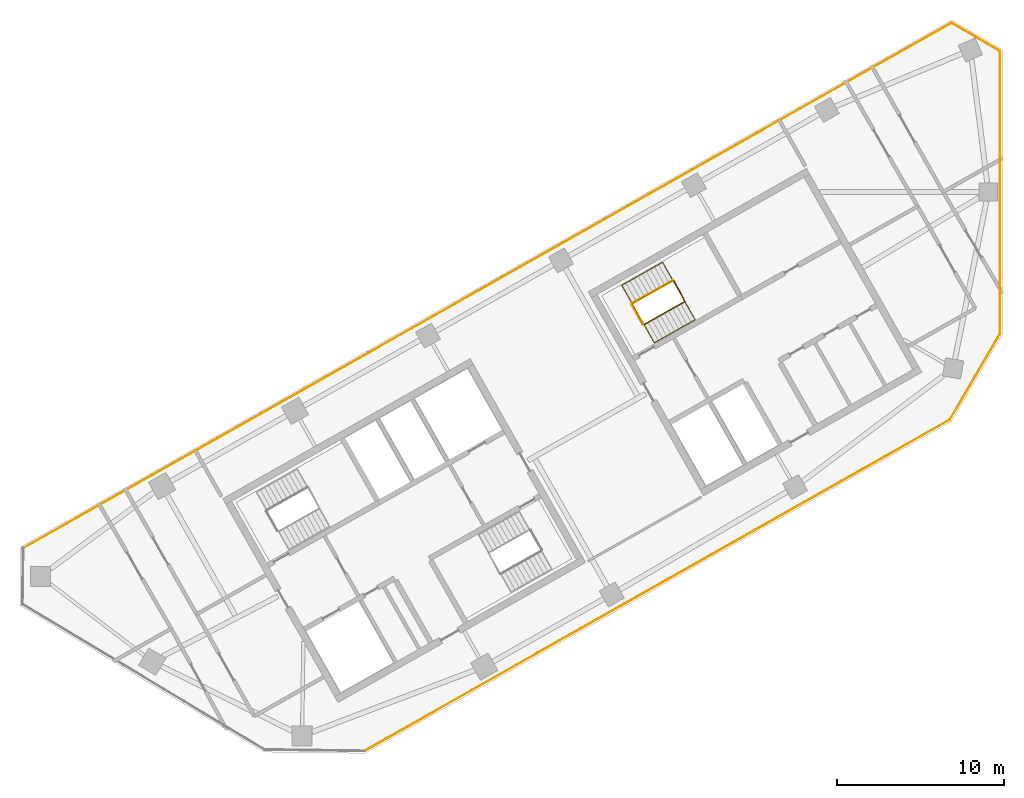
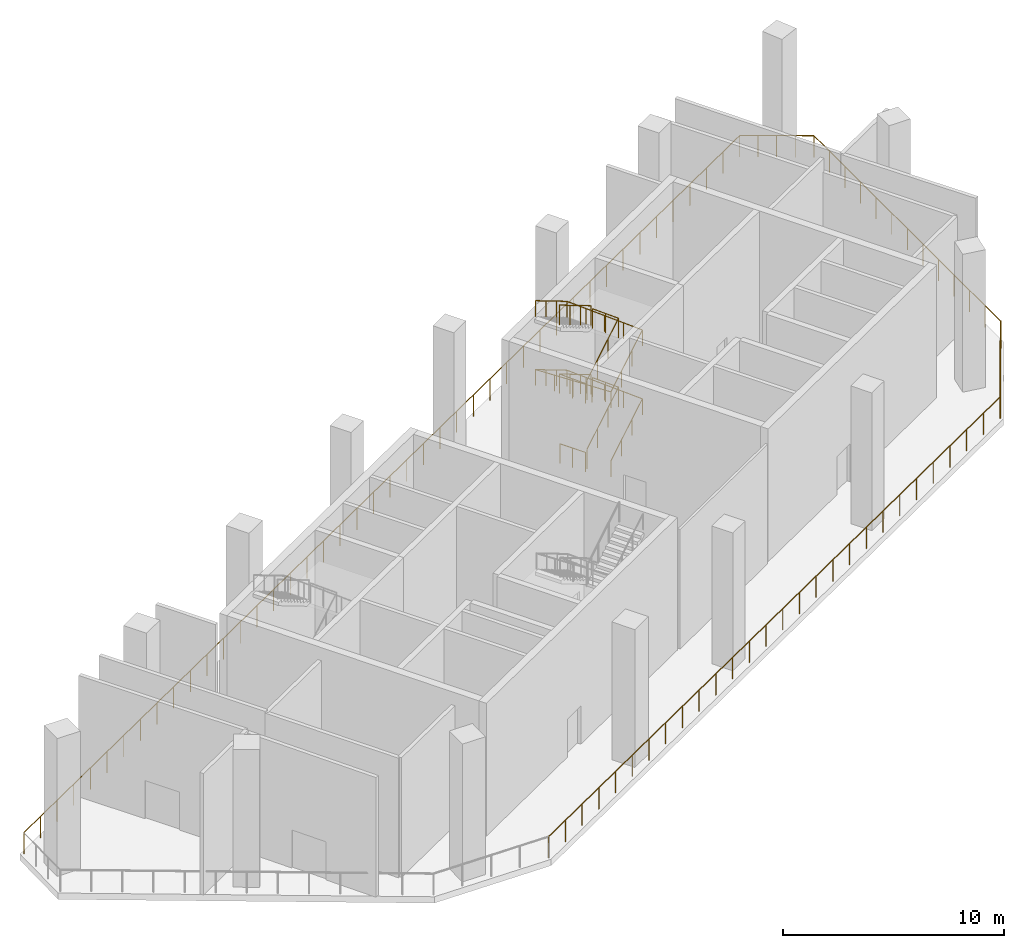
# One storey, part 6 of 6: 12 railings.
"""IFC4 building model written with IfcOpenShell, lengths in metres."""

from ifc_helpers import new_model, si_unit, direction, frame, origin, origin_2d, place, context, subcontext, project, spatial, circle, extrude, material, type_object, element, save


model = new_model("IFC4")

# Units and contexts
model_context = context("Model", 3, precision=1e-05, world=origin(), true_north=direction((0.0, 1.0)))
body_context = subcontext(model_context, "Body", "Model", "MODEL_VIEW")
ifc_project = project(units=[si_unit("LENGTHUNIT", "METRE"), si_unit("AREAUNIT", "SQUARE_METRE"), si_unit("VOLUMEUNIT", "CUBIC_METRE"), si_unit("PLANEANGLEUNIT", "RADIAN"), si_unit("MASSUNIT", "GRAM", prefix="KILO")], contexts=[model_context])

# Site, building, storey
site_placement = place(None, origin())
site = spatial("IfcSite", under=ifc_project, at=site_placement, CompositionType="ELEMENT")
building_placement = place(site_placement, origin())
building = spatial("IfcBuilding", under=site, at=building_placement, Name="Binnacle Exchange Tower", CompositionType="ELEMENT")
storey_placement = place(building_placement, frame((0.0, 0.0, 285.5)))
storey = spatial("IfcBuildingStorey", under=building, at=storey_placement, Name="L64", CompositionType="ELEMENT", Elevation=285.5)

# Railings
ifc_material_1 = material(Name="Bronze anodised aluminium frame", Category="aluminium")
railing_type_1 = type_object("IfcRailingType", Name="GUARD 1200", PredefinedType="GUARDRAIL", material=ifc_material_1)
railing_1_placement = place(storey_placement, frame((-3.155517578125, 46.38720703125, 0.0)))
element("IfcRailing", 1, at=railing_1_placement, inside=storey, type_object=railing_type_1, Name="Slab edge guard 1 L64", PredefinedType="GUARDRAIL", context=body_context, shape_type="SweptSolid", body=[
    extrude(circle(Radius=0.02392578125, at=origin_2d()), frame((0.0, 0.0, 1.17578125), z_axis=(-0.870353236256, -0.492427907555, 0.0), x_axis=(0.492427907555, -0.870353236256, 0.0)), (0.0, 0.0, 1.0), 40.191650390625),
    extrude(circle(Radius=0.02099609375, at=origin_2d()), origin(), (0.0, 0.0, 1.0), 1.15185546875),
    extrude(circle(Radius=0.02099609375, at=origin_2d()), frame((-1.295654296875, -0.73291015625, 0.0)), (0.0, 0.0, 1.0), 1.15185546875),
    extrude(circle(Radius=0.02099609375, at=origin_2d()), frame((-2.591064453125, -1.466064453125, 0.0)), (0.0, 0.0, 1.0), 1.15185546875),
    extrude(circle(Radius=0.02099609375, at=origin_2d()), frame((-3.88671875, -2.198974609375, 0.0)), (0.0, 0.0, 1.0), 1.15185546875),
    extrude(circle(Radius=0.02099609375, at=origin_2d()), frame((-5.182373046875, -2.93212890625, 0.0)), (0.0, 0.0, 1.0), 1.15185546875),
    extrude(circle(Radius=0.02099609375, at=origin_2d()), frame((-6.47802734375, -3.6650390625, 0.0)), (0.0, 0.0, 1.0), 1.15185546875),
    extrude(circle(Radius=0.02099609375, at=origin_2d()), frame((-7.7734375, -4.398193359375, 0.0)), (0.0, 0.0, 1.0), 1.15185546875),
    extrude(circle(Radius=0.02099609375, at=origin_2d()), frame((-9.069091796875, -5.131103515625, 0.0)), (0.0, 0.0, 1.0), 1.15185546875),
    extrude(circle(Radius=0.02099609375, at=origin_2d()), frame((-10.36474609375, -5.8642578125, 0.0)), (0.0, 0.0, 1.0), 1.15185546875),
    extrude(circle(Radius=0.02099609375, at=origin_2d()), frame((-11.660400390625, -6.59716796875, 0.0)), (0.0, 0.0, 1.0), 1.15185546875),
    extrude(circle(Radius=0.02099609375, at=origin_2d()), frame((-12.955810546875, -7.330078125, 0.0)), (0.0, 0.0, 1.0), 1.15185546875),
    extrude(circle(Radius=0.02099609375, at=origin_2d()), frame((-14.25146484375, -8.063232421875, 0.0)), (0.0, 0.0, 1.0), 1.15185546875),
    extrude(circle(Radius=0.02099609375, at=origin_2d()), frame((-15.547119140625, -8.796142578125, 0.0)), (0.0, 0.0, 1.0), 1.15185546875),
    extrude(circle(Radius=0.02099609375, at=origin_2d()), frame((-16.8427734375, -9.529296875, 0.0)), (0.0, 0.0, 1.0), 1.15185546875),
    extrude(circle(Radius=0.02099609375, at=origin_2d()), frame((-18.13818359375, -10.26220703125, 0.0)), (0.0, 0.0, 1.0), 1.15185546875),
    extrude(circle(Radius=0.02099609375, at=origin_2d()), frame((-19.433837890625, -10.995361328125, 0.0)), (0.0, 0.0, 1.0), 1.15185546875),
    extrude(circle(Radius=0.02099609375, at=origin_2d()), frame((-20.7294921875, -11.728271484375, 0.0)), (0.0, 0.0, 1.0), 1.15185546875),
    extrude(circle(Radius=0.02099609375, at=origin_2d()), frame((-22.025146484375, -12.46142578125, 0.0)), (0.0, 0.0, 1.0), 1.15185546875),
    extrude(circle(Radius=0.02099609375, at=origin_2d()), frame((-23.320556640625, -13.1943359375, 0.0)), (0.0, 0.0, 1.0), 1.15185546875),
    extrude(circle(Radius=0.02099609375, at=origin_2d()), frame((-24.6162109375, -13.92724609375, 0.0)), (0.0, 0.0, 1.0), 1.15185546875),
    extrude(circle(Radius=0.02099609375, at=origin_2d()), frame((-25.911865234375, -14.660400390625, 0.0)), (0.0, 0.0, 1.0), 1.15185546875),
    extrude(circle(Radius=0.02099609375, at=origin_2d()), frame((-27.20751953125, -15.393310546875, 0.0)), (0.0, 0.0, 1.0), 1.15185546875),
    extrude(circle(Radius=0.02099609375, at=origin_2d()), frame((-28.5029296875, -16.12646484375, 0.0)), (0.0, 0.0, 1.0), 1.15185546875),
    extrude(circle(Radius=0.02099609375, at=origin_2d()), frame((-29.798583984375, -16.859375, 0.0)), (0.0, 0.0, 1.0), 1.15185546875),
    extrude(circle(Radius=0.02099609375, at=origin_2d()), frame((-31.09423828125, -17.592529296875, 0.0)), (0.0, 0.0, 1.0), 1.15185546875),
    extrude(circle(Radius=0.02099609375, at=origin_2d()), frame((-32.389892578125, -18.325439453125, 0.0)), (0.0, 0.0, 1.0), 1.15185546875),
    extrude(circle(Radius=0.02099609375, at=origin_2d()), frame((-33.685302734375, -19.05859375, 0.0)), (0.0, 0.0, 1.0), 1.15185546875),
    extrude(circle(Radius=0.02099609375, at=origin_2d()), frame((-34.98095703125, -19.79150390625, 0.0)), (0.0, 0.0, 1.0), 1.15185546875),
])
railing_2_placement = place(storey_placement, frame((-58.52099609375, 38.718017578125, 0.0)))
element("IfcRailing", 2, at=railing_2_placement, inside=storey, type_object=railing_type_1, Name="Slab edge guard 5 L64", PredefinedType="GUARDRAIL", context=body_context, shape_type="SweptSolid", body=[
    extrude(circle(Radius=0.02392578125, at=origin_2d()), frame((0.0, 0.0, 1.17578125), z_axis=(0.870355516439, 0.492423877369, 0.0), x_axis=(-0.492423877369, 0.870355516439, 0.0)), (0.0, 0.0, 1.0), 63.73681640625),
    extrude(circle(Radius=0.02099609375, at=origin_2d()), origin(), (0.0, 0.0, 1.0), 1.15185546875),
    extrude(circle(Radius=0.02099609375, at=origin_2d()), frame((1.2900390625, 0.72998046875, 0.0)), (0.0, 0.0, 1.0), 1.15185546875),
    extrude(circle(Radius=0.02099609375, at=origin_2d()), frame((2.580078125, 1.459716796875, 0.0)), (0.0, 0.0, 1.0), 1.15185546875),
    extrude(circle(Radius=0.02099609375, at=origin_2d()), frame((3.870361328125, 2.189697265625, 0.0)), (0.0, 0.0, 1.0), 1.15185546875),
    extrude(circle(Radius=0.02099609375, at=origin_2d()), frame((5.160400390625, 2.919677734375, 0.0)), (0.0, 0.0, 1.0), 1.15185546875),
    extrude(circle(Radius=0.02099609375, at=origin_2d()), frame((6.450439453125, 3.6494140625, 0.0)), (0.0, 0.0, 1.0), 1.15185546875),
    extrude(circle(Radius=0.02099609375, at=origin_2d()), frame((7.740478515625, 4.37939453125, 0.0)), (0.0, 0.0, 1.0), 1.15185546875),
    extrude(circle(Radius=0.02099609375, at=origin_2d()), frame((9.030517578125, 5.109375, 0.0)), (0.0, 0.0, 1.0), 1.15185546875),
    extrude(circle(Radius=0.02099609375, at=origin_2d()), frame((10.320556640625, 5.839111328125, 0.0)), (0.0, 0.0, 1.0), 1.15185546875),
    extrude(circle(Radius=0.02099609375, at=origin_2d()), frame((11.61083984375, 6.569091796875, 0.0)), (0.0, 0.0, 1.0), 1.15185546875),
    extrude(circle(Radius=0.02099609375, at=origin_2d()), frame((12.90087890625, 7.299072265625, 0.0)), (0.0, 0.0, 1.0), 1.15185546875),
    extrude(circle(Radius=0.02099609375, at=origin_2d()), frame((14.19091796875, 8.02880859375, 0.0)), (0.0, 0.0, 1.0), 1.15185546875),
    extrude(circle(Radius=0.02099609375, at=origin_2d()), frame((15.48095703125, 8.7587890625, 0.0)), (0.0, 0.0, 1.0), 1.15185546875),
    extrude(circle(Radius=0.02099609375, at=origin_2d()), frame((16.77099609375, 9.488525390625, 0.0)), (0.0, 0.0, 1.0), 1.15185546875),
    extrude(circle(Radius=0.02099609375, at=origin_2d()), frame((18.061279296875, 10.218505859375, 0.0)), (0.0, 0.0, 1.0), 1.15185546875),
    extrude(circle(Radius=0.02099609375, at=origin_2d()), frame((19.351318359375, 10.948486328125, 0.0)), (0.0, 0.0, 1.0), 1.15185546875),
    extrude(circle(Radius=0.02099609375, at=origin_2d()), frame((20.641357421875, 11.67822265625, 0.0)), (0.0, 0.0, 1.0), 1.15185546875),
    extrude(circle(Radius=0.02099609375, at=origin_2d()), frame((21.931396484375, 12.408203125, 0.0)), (0.0, 0.0, 1.0), 1.15185546875),
    extrude(circle(Radius=0.02099609375, at=origin_2d()), frame((23.221435546875, 13.13818359375, 0.0)), (0.0, 0.0, 1.0), 1.15185546875),
    extrude(circle(Radius=0.02099609375, at=origin_2d()), frame((24.51171875, 13.867919921875, 0.0)), (0.0, 0.0, 1.0), 1.15185546875),
    extrude(circle(Radius=0.02099609375, at=origin_2d()), frame((25.8017578125, 14.597900390625, 0.0)), (0.0, 0.0, 1.0), 1.15185546875),
    extrude(circle(Radius=0.02099609375, at=origin_2d()), frame((27.091796875, 15.327880859375, 0.0)), (0.0, 0.0, 1.0), 1.15185546875),
    extrude(circle(Radius=0.02099609375, at=origin_2d()), frame((28.3818359375, 16.0576171875, 0.0)), (0.0, 0.0, 1.0), 1.15185546875),
    extrude(circle(Radius=0.02099609375, at=origin_2d()), frame((29.671875, 16.78759765625, 0.0)), (0.0, 0.0, 1.0), 1.15185546875),
    extrude(circle(Radius=0.02099609375, at=origin_2d()), frame((30.9619140625, 17.517578125, 0.0)), (0.0, 0.0, 1.0), 1.15185546875),
    extrude(circle(Radius=0.02099609375, at=origin_2d()), frame((32.252197265625, 18.247314453125, 0.0)), (0.0, 0.0, 1.0), 1.15185546875),
    extrude(circle(Radius=0.02099609375, at=origin_2d()), frame((33.542236328125, 18.977294921875, 0.0)), (0.0, 0.0, 1.0), 1.15185546875),
    extrude(circle(Radius=0.02099609375, at=origin_2d()), frame((34.832275390625, 19.707275390625, 0.0)), (0.0, 0.0, 1.0), 1.15185546875),
    extrude(circle(Radius=0.02099609375, at=origin_2d()), frame((36.122314453125, 20.43701171875, 0.0)), (0.0, 0.0, 1.0), 1.15185546875),
    extrude(circle(Radius=0.02099609375, at=origin_2d()), frame((37.412353515625, 21.1669921875, 0.0)), (0.0, 0.0, 1.0), 1.15185546875),
    extrude(circle(Radius=0.02099609375, at=origin_2d()), frame((38.70263671875, 21.89697265625, 0.0)), (0.0, 0.0, 1.0), 1.15185546875),
    extrude(circle(Radius=0.02099609375, at=origin_2d()), frame((39.99267578125, 22.626708984375, 0.0)), (0.0, 0.0, 1.0), 1.15185546875),
    extrude(circle(Radius=0.02099609375, at=origin_2d()), frame((41.28271484375, 23.356689453125, 0.0)), (0.0, 0.0, 1.0), 1.15185546875),
    extrude(circle(Radius=0.02099609375, at=origin_2d()), frame((42.57275390625, 24.08642578125, 0.0)), (0.0, 0.0, 1.0), 1.15185546875),
    extrude(circle(Radius=0.02099609375, at=origin_2d()), frame((43.86279296875, 24.81640625, 0.0)), (0.0, 0.0, 1.0), 1.15185546875),
    extrude(circle(Radius=0.02099609375, at=origin_2d()), frame((45.153076171875, 25.54638671875, 0.0)), (0.0, 0.0, 1.0), 1.15185546875),
    extrude(circle(Radius=0.02099609375, at=origin_2d()), frame((46.443115234375, 26.276123046875, 0.0)), (0.0, 0.0, 1.0), 1.15185546875),
    extrude(circle(Radius=0.02099609375, at=origin_2d()), frame((47.733154296875, 27.006103515625, 0.0)), (0.0, 0.0, 1.0), 1.15185546875),
    extrude(circle(Radius=0.02099609375, at=origin_2d()), frame((49.023193359375, 27.736083984375, 0.0)), (0.0, 0.0, 1.0), 1.15185546875),
    extrude(circle(Radius=0.02099609375, at=origin_2d()), frame((50.313232421875, 28.4658203125, 0.0)), (0.0, 0.0, 1.0), 1.15185546875),
    extrude(circle(Radius=0.02099609375, at=origin_2d()), frame((51.603271484375, 29.19580078125, 0.0)), (0.0, 0.0, 1.0), 1.15185546875),
    extrude(circle(Radius=0.02099609375, at=origin_2d()), frame((52.8935546875, 29.92578125, 0.0)), (0.0, 0.0, 1.0), 1.15185546875),
    extrude(circle(Radius=0.02099609375, at=origin_2d()), frame((54.18359375, 30.655517578125, 0.0)), (0.0, 0.0, 1.0), 1.15185546875),
    extrude(circle(Radius=0.02099609375, at=origin_2d()), frame((55.4736328125, 31.385498046875, 0.0)), (0.0, 0.0, 1.0), 1.15185546875),
])
railing_3_placement = place(storey_placement, frame((-3.04736328125, 70.103515625, 0.0)))
element("IfcRailing", 3, at=railing_3_placement, inside=storey, type_object=railing_type_1, Name="Slab edge guard 6 L64", PredefinedType="GUARDRAIL", context=body_context, shape_type="SweptSolid", body=[
    extrude(circle(Radius=0.02392578125, at=origin_2d()), frame((0.0, 0.0, 1.17578125), z_axis=(0.863843228768, -0.503760732998, 0.0), x_axis=(0.503760732998, 0.863843228768, 0.0)), (0.0, 0.0, 1.0), 1.651611328125),
    extrude(circle(Radius=0.02099609375, at=origin_2d()), origin(), (0.0, 0.0, 1.0), 1.15185546875),
    extrude(circle(Radius=0.02099609375, at=origin_2d()), frame((0.71337890625, -0.416015625, 0.0)), (0.0, 0.0, 1.0), 1.15185546875),
    extrude(circle(Radius=0.02099609375, at=origin_2d()), frame((1.4267578125, -0.83203125, 0.0)), (0.0, 0.0, 1.0), 1.15185546875),
])
railing_4_placement = place(storey_placement, frame((-1.609619140625, 69.26513671875, 0.0)))
element("IfcRailing", 4, at=railing_4_placement, inside=storey, type_object=railing_type_1, Name="Slab edge guard 7 L64", PredefinedType="GUARDRAIL", context=body_context, shape_type="SweptSolid", body=[
    extrude(circle(Radius=0.02392578125, at=origin_2d()), frame((0.0, 0.0, 1.17578125), z_axis=(0.863826057896, -0.503790176264, 0.0), x_axis=(0.503790176264, 0.863826057896, 0.0)), (0.0, 0.0, 1.0), 1.68994140625),
    extrude(circle(Radius=0.02099609375, at=origin_2d()), origin(), (0.0, 0.0, 1.0), 1.15185546875),
    extrude(circle(Radius=0.02099609375, at=origin_2d()), frame((0.72998046875, -0.42578125, 0.0)), (0.0, 0.0, 1.0), 1.15185546875),
    extrude(circle(Radius=0.02099609375, at=origin_2d()), frame((1.459716796875, -0.851318359375, 0.0)), (0.0, 0.0, 1.0), 1.15185546875),
])
railing_5_placement = place(storey_placement, frame((-0.14990234375, 68.413818359375, 0.0)))
element("IfcRailing", 5, at=railing_5_placement, inside=storey, type_object=railing_type_1, Name="Slab edge guard 8 L64", PredefinedType="GUARDRAIL", context=body_context, shape_type="SweptSolid", body=[
    extrude(circle(Radius=0.02392578125, at=origin_2d()), frame((0.0, 0.0, 1.17578125), z_axis=(0.0, -1.0, 0.0), x_axis=(1.0, 0.0, 0.0)), (0.0, 0.0, 1.0), 16.873291015625),
    extrude(circle(Radius=0.02099609375, at=origin_2d()), origin(), (0.0, 0.0, 1.0), 1.15185546875),
    extrude(circle(Radius=0.02099609375, at=origin_2d()), frame((0.0, -1.406005859375, 0.0)), (0.0, 0.0, 1.0), 1.15185546875),
    extrude(circle(Radius=0.02099609375, at=origin_2d()), frame((0.0, -2.812255859375, 0.0)), (0.0, 0.0, 1.0), 1.15185546875),
    extrude(circle(Radius=0.02099609375, at=origin_2d()), frame((0.0, -4.21826171875, 0.0)), (0.0, 0.0, 1.0), 1.15185546875),
    extrude(circle(Radius=0.02099609375, at=origin_2d()), frame((0.0, -5.62451171875, 0.0)), (0.0, 0.0, 1.0), 1.15185546875),
    extrude(circle(Radius=0.02099609375, at=origin_2d()), frame((0.0, -7.030517578125, 0.0)), (0.0, 0.0, 1.0), 1.15185546875),
    extrude(circle(Radius=0.02099609375, at=origin_2d()), frame((0.0, -8.4365234375, 0.0)), (0.0, 0.0, 1.0), 1.15185546875),
    extrude(circle(Radius=0.02099609375, at=origin_2d()), frame((0.0, -9.8427734375, 0.0)), (0.0, 0.0, 1.0), 1.15185546875),
    extrude(circle(Radius=0.02099609375, at=origin_2d()), frame((0.0, -11.248779296875, 0.0)), (0.0, 0.0, 1.0), 1.15185546875),
    extrude(circle(Radius=0.02099609375, at=origin_2d()), frame((0.0, -12.655029296875, 0.0)), (0.0, 0.0, 1.0), 1.15185546875),
    extrude(circle(Radius=0.02099609375, at=origin_2d()), frame((0.0, -14.06103515625, 0.0)), (0.0, 0.0, 1.0), 1.15185546875),
    extrude(circle(Radius=0.02099609375, at=origin_2d()), frame((0.0, -15.46728515625, 0.0)), (0.0, 0.0, 1.0), 1.15185546875),
    extrude(circle(Radius=0.02099609375, at=origin_2d()), frame((0.0, -16.873291015625, 0.0)), (0.0, 0.0, 1.0), 1.15185546875),
])
railing_6_placement = place(storey_placement, frame((-0.14990234375, 51.54052734375, 0.0)))
element("IfcRailing", 6, at=railing_6_placement, inside=storey, type_object=railing_type_1, Name="Slab edge guard 9 L64", PredefinedType="GUARDRAIL", context=body_context, shape_type="SweptSolid", body=[
    extrude(circle(Radius=0.02392578125, at=origin_2d()), frame((0.0, 0.0, 1.17578125), z_axis=(-0.503809956982, -0.863814521321, 0.0), x_axis=(0.863814521321, -0.503809956982, 0.0)), (0.0, 0.0, 1.0), 5.9658203125),
    extrude(circle(Radius=0.02099609375, at=origin_2d()), origin(), (0.0, 0.0, 1.0), 1.15185546875),
    extrude(circle(Radius=0.02099609375, at=origin_2d()), frame((-0.75146484375, -1.288330078125, 0.0)), (0.0, 0.0, 1.0), 1.15185546875),
    extrude(circle(Radius=0.02099609375, at=origin_2d()), frame((-1.5029296875, -2.57666015625, 0.0)), (0.0, 0.0, 1.0), 1.15185546875),
    extrude(circle(Radius=0.02099609375, at=origin_2d()), frame((-2.254150390625, -3.864990234375, 0.0)), (0.0, 0.0, 1.0), 1.15185546875),
    extrude(circle(Radius=0.02099609375, at=origin_2d()), frame((-3.005615234375, -5.1533203125, 0.0)), (0.0, 0.0, 1.0), 1.15185546875),
])
ifc_material_2 = material(Name="Steel guard rail", Category="steel")
railing_type_2 = type_object("IfcRailingType", Name="STAIR GUARD 1100", PredefinedType="GUARDRAIL", material=ifc_material_2)
railing_7_placement = place(storey_placement, frame((-21.423828125, 52.07275390625, 0.172607421875)))
element("IfcRailing", 7, at=railing_7_placement, inside=storey, type_object=railing_type_2, Name="L64 STC1 stair guard 1", PredefinedType="GUARDRAIL", context=body_context, shape_type="SweptSolid", body=[
    extrude(circle(Radius=0.02392578125, at=origin_2d()), frame((0.0, 0.0, 1.076171875), z_axis=(0.740760999345, 0.419062048017, 0.525033467278), x_axis=(-0.492387636113, 0.870376019777, 0.0)), (0.0, 0.0, 1.0), 3.289794921875),
    extrude(circle(Radius=0.02392578125, at=origin_2d()), frame((2.43701171875, 1.378662109375, 2.80322265625), z_axis=(-0.460963092712, 0.887419307406, 0.0), x_axis=(-0.887419307406, -0.460963092712, 0.0)), (0.0, 0.0, 1.0), 1.40087890625),
    extrude(circle(Radius=0.02099609375, at=origin_2d()), origin(), (0.0, 0.0, 1.0), 1.052001953125),
    extrude(circle(Radius=0.02099609375, at=origin_2d()), frame((0.812255859375, 0.45947265625, 0.57568359375)), (0.0, 0.0, 1.0), 1.052001953125),
    extrude(circle(Radius=0.02099609375, at=origin_2d()), frame((1.624755859375, 0.919189453125, 1.151611328125)), (0.0, 0.0, 1.0), 1.052001953125),
    extrude(circle(Radius=0.02099609375, at=origin_2d()), frame((2.43701171875, 1.378662109375, 1.727294921875)), (0.0, 0.0, 1.0), 1.052001953125),
    extrude(circle(Radius=0.02099609375, at=origin_2d()), frame((2.1142578125, 2.000244140625, 1.727294921875)), (0.0, 0.0, 1.0), 1.052001953125),
    extrude(circle(Radius=0.02099609375, at=origin_2d()), frame((1.791259765625, 2.621826171875, 1.727294921875)), (0.0, 0.0, 1.0), 1.052001953125),
])
railing_8_placement = place(storey_placement, frame((-19.70068359375, 54.71337890625, 2.07275390625)))
element("IfcRailing", 8, at=railing_8_placement, inside=storey, type_object=railing_type_2, Name="L64 STC1 stair guard 2", PredefinedType="GUARDRAIL", context=body_context, shape_type="SweptSolid", body=[
    extrude(circle(Radius=0.02392578125, at=origin_2d()), frame((0.0, 0.0, 1.076171875), z_axis=(-0.740760999345, -0.419062048017, 0.525033467278), x_axis=(0.492387636113, -0.870376019777, 0.0)), (0.0, 0.0, 1.0), 3.289794921875),
    extrude(circle(Radius=0.02392578125, at=origin_2d()), frame((-2.43701171875, -1.378662109375, 2.80322265625), z_axis=(0.460963092712, -0.887419307406, 0.0), x_axis=(0.887419307406, 0.460963092712, 0.0)), (0.0, 0.0, 1.0), 1.40087890625),
    extrude(circle(Radius=0.02099609375, at=origin_2d()), origin(), (0.0, 0.0, 1.0), 1.052001953125),
    extrude(circle(Radius=0.02099609375, at=origin_2d()), frame((-0.812255859375, -0.45947265625, 0.57568359375)), (0.0, 0.0, 1.0), 1.052001953125),
    extrude(circle(Radius=0.02099609375, at=origin_2d()), frame((-1.624755859375, -0.919189453125, 1.151611328125)), (0.0, 0.0, 1.0), 1.052001953125),
    extrude(circle(Radius=0.02099609375, at=origin_2d()), frame((-2.43701171875, -1.378662109375, 1.727294921875)), (0.0, 0.0, 1.0), 1.052001953125),
    extrude(circle(Radius=0.02099609375, at=origin_2d()), frame((-2.1142578125, -2.000244140625, 1.727294921875)), (0.0, 0.0, 1.0), 1.052001953125),
    extrude(circle(Radius=0.02099609375, at=origin_2d()), frame((-1.791259765625, -2.621826171875, 1.727294921875)), (0.0, 0.0, 1.0), 1.052001953125),
])
railing_9_placement = place(storey_placement, frame((-21.423828125, 52.07275390625, 3.97265625)))
element("IfcRailing", 9, at=railing_9_placement, inside=storey, type_object=railing_type_2, Name="L64 STC1 stair guard 3", PredefinedType="GUARDRAIL", context=body_context, shape_type="SweptSolid", body=[
    extrude(circle(Radius=0.02392578125, at=origin_2d()), frame((0.0, 0.0, 1.076171875), z_axis=(0.740760999345, 0.419062048017, 0.525033467278), x_axis=(-0.492387636113, 0.870376019777, 0.0)), (0.0, 0.0, 1.0), 3.289794921875),
    extrude(circle(Radius=0.02392578125, at=origin_2d()), frame((2.43701171875, 1.378662109375, 2.80322265625), z_axis=(-0.460963092712, 0.887419307406, 0.0), x_axis=(-0.887419307406, -0.460963092712, 0.0)), (0.0, 0.0, 1.0), 1.40087890625),
    extrude(circle(Radius=0.02099609375, at=origin_2d()), origin(), (0.0, 0.0, 1.0), 1.052001953125),
    extrude(circle(Radius=0.02099609375, at=origin_2d()), frame((0.812255859375, 0.45947265625, 0.57568359375)), (0.0, 0.0, 1.0), 1.052001953125),
    extrude(circle(Radius=0.02099609375, at=origin_2d()), frame((1.624755859375, 0.919189453125, 1.151611328125)), (0.0, 0.0, 1.0), 1.052001953125),
    extrude(circle(Radius=0.02099609375, at=origin_2d()), frame((2.43701171875, 1.378662109375, 1.727294921875)), (0.0, 0.0, 1.0), 1.052001953125),
    extrude(circle(Radius=0.02099609375, at=origin_2d()), frame((2.1142578125, 2.000244140625, 1.727294921875)), (0.0, 0.0, 1.0), 1.052001953125),
    extrude(circle(Radius=0.02099609375, at=origin_2d()), frame((1.791259765625, 2.621826171875, 1.727294921875)), (0.0, 0.0, 1.0), 1.052001953125),
])
railing_10_placement = place(storey_placement, frame((-19.70068359375, 54.71337890625, 5.872802734375)))
element("IfcRailing", 10, at=railing_10_placement, inside=storey, type_object=railing_type_2, Name="L64 STC1 stair guard 4", PredefinedType="GUARDRAIL", context=body_context, shape_type="SweptSolid", body=[
    extrude(circle(Radius=0.02392578125, at=origin_2d()), frame((0.0, 0.0, 1.076171875), z_axis=(-0.740760999345, -0.419062048017, 0.525033467278), x_axis=(0.492387636113, -0.870376019777, 0.0)), (0.0, 0.0, 1.0), 3.289794921875),
    extrude(circle(Radius=0.02099609375, at=origin_2d()), origin(), (0.0, 0.0, 1.0), 1.052001953125),
    extrude(circle(Radius=0.02099609375, at=origin_2d()), frame((-0.812255859375, -0.45947265625, 0.57568359375)), (0.0, 0.0, 1.0), 1.052001953125),
    extrude(circle(Radius=0.02099609375, at=origin_2d()), frame((-1.624755859375, -0.919189453125, 1.151611328125)), (0.0, 0.0, 1.0), 1.052001953125),
    extrude(circle(Radius=0.02099609375, at=origin_2d()), frame((-2.43701171875, -1.378662109375, 1.727294921875)), (0.0, 0.0, 1.0), 1.052001953125),
])
railing_11_placement = place(storey_placement, frame((-21.491943359375, 52.091552734375, 0.0)))
element("IfcRailing", 11, at=railing_11_placement, inside=storey, type_object=railing_type_2, Name="L64 STC1 stair guard 5", PredefinedType="GUARDRAIL", context=body_context, shape_type="SweptSolid", body=[
    extrude(circle(Radius=0.02392578125, at=origin_2d()), frame((0.0, 0.0, 1.076171875), z_axis=(-0.49241474071, 0.870360685654, 0.0), x_axis=(-0.870360685654, -0.49241474071, 0.0)), (0.0, 0.0, 1.0), 1.35009765625),
    extrude(circle(Radius=0.02099609375, at=origin_2d()), origin(), (0.0, 0.0, 1.0), 1.052001953125),
    extrude(circle(Radius=0.02099609375, at=origin_2d()), frame((-0.33251953125, 0.58740234375, 0.0)), (0.0, 0.0, 1.0), 1.052001953125),
    extrude(circle(Radius=0.02099609375, at=origin_2d()), frame((-0.664794921875, 1.175048828125, 0.0)), (0.0, 0.0, 1.0), 1.052001953125),
])
ifc_material_3 = material(Name="Steel handrail", Category="steel")
railing_type_3 = type_object("IfcRailingType", Name="STAIR HANDRAIL 900", PredefinedType="HANDRAIL", material=ifc_material_3)
railing_12_placement = place(storey_placement, frame((-20.808349609375, 50.984619140625, 0.172607421875)))
element("IfcRailing", 12, at=railing_12_placement, inside=storey, type_object=railing_type_3, Name="L64 STC1 stair handrail 1", PredefinedType="HANDRAIL", context=body_context, shape_type="SweptSolid", body=[
    extrude(circle(Radius=0.02392578125, at=origin_2d()), frame((0.0, 0.0, 0.8759765625), z_axis=(0.740737961854, 0.419123222656, 0.525017138862), x_axis=(-0.492453686477, 0.870338650569, 0.0)), (0.0, 0.0, 1.0), 3.2900390625),
    extrude(circle(Radius=0.02392578125, at=origin_2d()), frame((2.43701171875, 1.37890625, 2.60302734375), z_axis=(-0.491969260701, 0.869514140822, 0.043719623017), x_axis=(-0.87034633103, -0.492440112159, 0.0)), (0.0, 0.0, 1.0), 3.95361328125),
    extrude(circle(Radius=0.02392578125, at=origin_2d()), frame((0.491943359375, 4.816650390625, 2.77587890625), z_axis=(-0.740760999345, -0.419062048017, 0.525033467278), x_axis=(0.492387636113, -0.870376019777, 0.0)), (0.0, 0.0, 1.0), 3.289794921875),
    extrude(circle(Radius=0.02392578125, at=origin_2d()), frame((-1.945068359375, 3.43798828125, 4.50341796875), z_axis=(0.491944173491, -0.869531549026, 0.043655645871), x_axis=(0.870361318571, 0.492413622004, 0.0)), (0.0, 0.0, 1.0), 3.953857421875),
    extrude(circle(Radius=0.02392578125, at=origin_2d()), frame((0.0, 0.0, 4.67578125), z_axis=(0.740737961854, 0.419123222656, 0.525017138862), x_axis=(-0.492453686477, 0.870338650569, 0.0)), (0.0, 0.0, 1.0), 3.2900390625),
    extrude(circle(Radius=0.02392578125, at=origin_2d()), frame((2.43701171875, 1.37890625, 6.4033203125), z_axis=(-0.491969260701, 0.869514140822, 0.043719623017), x_axis=(-0.87034633103, -0.492440112159, 0.0)), (0.0, 0.0, 1.0), 3.95361328125),
    extrude(circle(Radius=0.02392578125, at=origin_2d()), frame((0.491943359375, 4.816650390625, 6.576171875), z_axis=(-0.740760999345, -0.419062048017, 0.525033467278), x_axis=(0.492387636113, -0.870376019777, 0.0)), (0.0, 0.0, 1.0), 3.289794921875),
    extrude(circle(Radius=0.02099609375, at=origin_2d()), origin(), (0.0, 0.0, 1.0), 0.851806640625),
    extrude(circle(Radius=0.02099609375, at=origin_2d()), frame((0.812255859375, 0.459716796875, 0.57568359375)), (0.0, 0.0, 1.0), 0.851806640625),
    extrude(circle(Radius=0.02099609375, at=origin_2d()), frame((1.624755859375, 0.919189453125, 1.151611328125)), (0.0, 0.0, 1.0), 0.851806640625),
    extrude(circle(Radius=0.02099609375, at=origin_2d()), frame((2.43701171875, 1.37890625, 1.727294921875)), (0.0, 0.0, 1.0), 0.851806640625),
    extrude(circle(Radius=0.02099609375, at=origin_2d()), frame((1.95068359375, 2.23828125, 1.7705078125)), (0.0, 0.0, 1.0), 0.851806640625),
    extrude(circle(Radius=0.02099609375, at=origin_2d()), frame((1.46435546875, 3.09765625, 1.813720703125)), (0.0, 0.0, 1.0), 0.851806640625),
    extrude(circle(Radius=0.02099609375, at=origin_2d()), frame((0.978271484375, 3.957275390625, 1.85693359375)), (0.0, 0.0, 1.0), 0.851806640625),
    extrude(circle(Radius=0.02099609375, at=origin_2d()), frame((0.491943359375, 4.816650390625, 1.900146484375)), (0.0, 0.0, 1.0), 0.851806640625),
    extrude(circle(Radius=0.02099609375, at=origin_2d()), frame((-0.3203125, 4.357177734375, 2.475830078125)), (0.0, 0.0, 1.0), 0.851806640625),
    extrude(circle(Radius=0.02099609375, at=origin_2d()), frame((-1.1328125, 3.8974609375, 3.0517578125)), (0.0, 0.0, 1.0), 0.851806640625),
    extrude(circle(Radius=0.02099609375, at=origin_2d()), frame((-1.945068359375, 3.43798828125, 3.62744140625)), (0.0, 0.0, 1.0), 0.851806640625),
    extrude(circle(Radius=0.02099609375, at=origin_2d()), frame((-1.458740234375, 2.57861328125, 3.670654296875)), (0.0, 0.0, 1.0), 0.851806640625),
    extrude(circle(Radius=0.02099609375, at=origin_2d()), frame((-0.97265625, 1.718994140625, 3.7138671875)), (0.0, 0.0, 1.0), 0.851806640625),
    extrude(circle(Radius=0.02099609375, at=origin_2d()), frame((-0.486328125, 0.859375, 3.7568359375)), (0.0, 0.0, 1.0), 0.851806640625),
    extrude(circle(Radius=0.02099609375, at=origin_2d()), frame((0.0, 0.0, 3.800048828125)), (0.0, 0.0, 1.0), 0.851806640625),
    extrude(circle(Radius=0.02099609375, at=origin_2d()), frame((0.812255859375, 0.459716796875, 4.375732421875)), (0.0, 0.0, 1.0), 0.851806640625),
    extrude(circle(Radius=0.02099609375, at=origin_2d()), frame((1.624755859375, 0.919189453125, 4.95166015625)), (0.0, 0.0, 1.0), 0.851806640625),
    extrude(circle(Radius=0.02099609375, at=origin_2d()), frame((2.43701171875, 1.37890625, 5.52734375)), (0.0, 0.0, 1.0), 0.851806640625),
    extrude(circle(Radius=0.02099609375, at=origin_2d()), frame((1.95068359375, 2.23828125, 5.570556640625)), (0.0, 0.0, 1.0), 0.851806640625),
    extrude(circle(Radius=0.02099609375, at=origin_2d()), frame((1.46435546875, 3.09765625, 5.61376953125)), (0.0, 0.0, 1.0), 0.851806640625),
    extrude(circle(Radius=0.02099609375, at=origin_2d()), frame((0.978271484375, 3.957275390625, 5.656982421875)), (0.0, 0.0, 1.0), 0.851806640625),
    extrude(circle(Radius=0.02099609375, at=origin_2d()), frame((0.491943359375, 4.816650390625, 5.7001953125)), (0.0, 0.0, 1.0), 0.851806640625),
    extrude(circle(Radius=0.02099609375, at=origin_2d()), frame((-0.3203125, 4.357177734375, 6.27587890625)), (0.0, 0.0, 1.0), 0.851806640625),
    extrude(circle(Radius=0.02099609375, at=origin_2d()), frame((-1.1328125, 3.8974609375, 6.851806640625)), (0.0, 0.0, 1.0), 0.851806640625),
    extrude(circle(Radius=0.02099609375, at=origin_2d()), frame((-1.945068359375, 3.43798828125, 7.427490234375)), (0.0, 0.0, 1.0), 0.851806640625),
])

save(model, "model.ifc")
